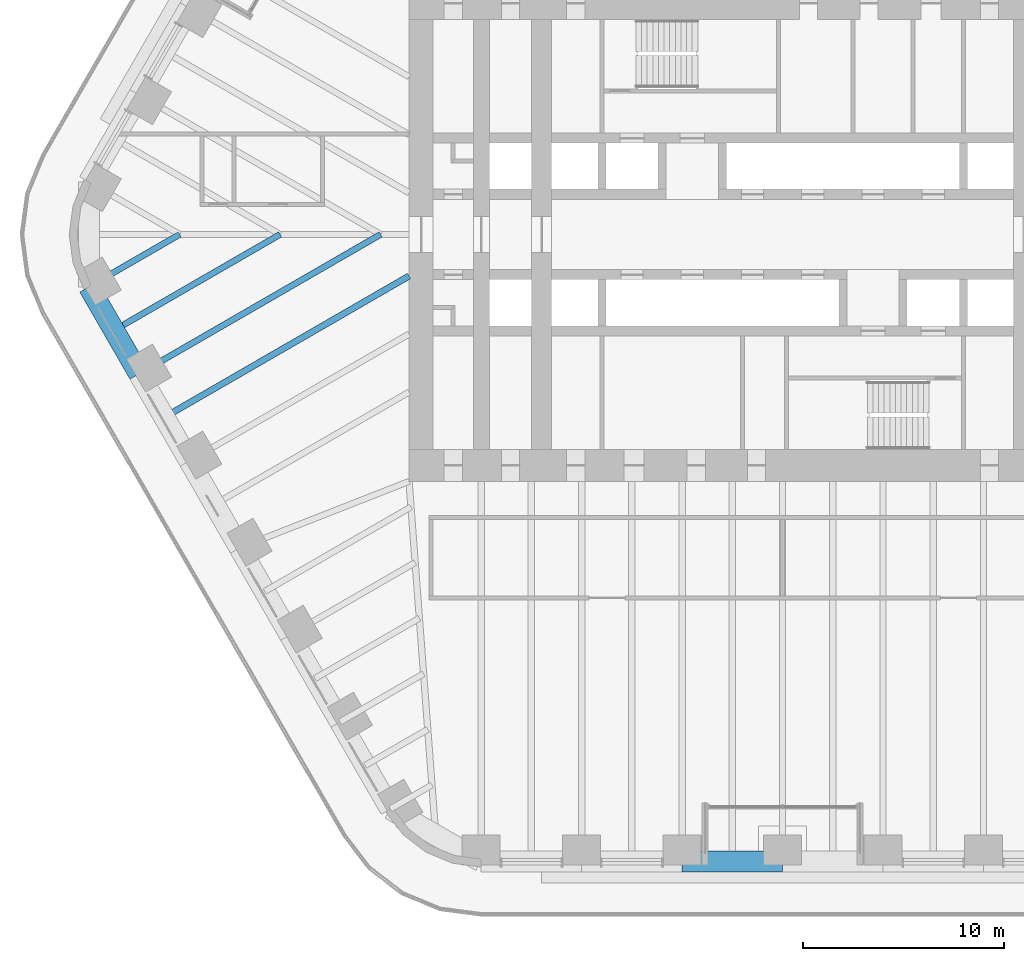
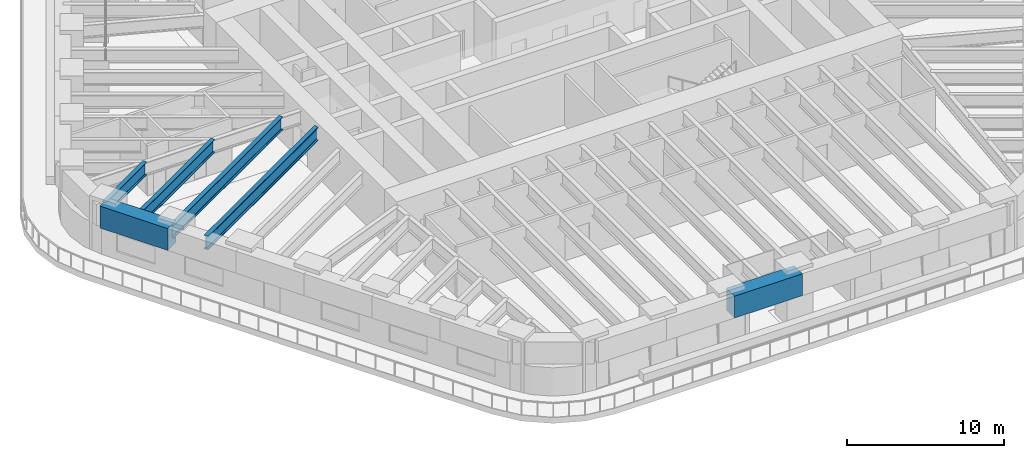
# One storey, part 3 of 19: 6 beams.
"""IFC4 building model written with IfcOpenShell, lengths in metres."""

from ifc_helpers import new_model, si_unit, direction, frame, origin, origin_2d, place, context, subcontext, project, spatial, rectangle, i_section, extrude, material, material_profile, profile_set, type_object, element, save


model = new_model("IFC4")

# Units and contexts
model_context = context("Model", 3, precision=1e-05, world=origin(), true_north=direction((0.0, 1.0)))
body_context = subcontext(model_context, "Body", "Model", "MODEL_VIEW")
ifc_project = project(units=[si_unit("LENGTHUNIT", "METRE"), si_unit("AREAUNIT", "SQUARE_METRE"), si_unit("VOLUMEUNIT", "CUBIC_METRE"), si_unit("PLANEANGLEUNIT", "RADIAN"), si_unit("MASSUNIT", "GRAM", prefix="KILO")], contexts=[model_context])

# Site, building, storey
site_placement = place(None, origin())
site = spatial("IfcSite", under=ifc_project, at=site_placement, CompositionType="ELEMENT")
building_placement = place(site_placement, origin())
building = spatial("IfcBuilding", under=site, at=building_placement, Name="Tarfa Lantern Tower", CompositionType="ELEMENT")
storey_placement = place(building_placement, frame((0.0, 0.0, 199.300048828125)))
storey = spatial("IfcBuildingStorey", under=building, at=storey_placement, Name="L45", CompositionType="ELEMENT", Elevation=199.300048828125)

# Beams
ifc_material_1 = material(Name="Concrete C80/95", Category="concrete")
ifc_material_profile_1 = material_profile(ifc_material_1, rectangle(XDim=1.050048828125, YDim=1.699951171875, at=origin_2d()), Name="RC 1050x1700")
ifc_profile_set_1 = profile_set([ifc_material_profile_1], Name="Concrete C80/95")
beam_type_1 = type_object("IfcBeamType", Name="RB2 RC 1050x1700", PredefinedType="BEAM", material=ifc_profile_set_1)
for number, where, z_axis, x_axis, name in (
    (1, (-34.54296875, -2.610107421875, 3.050048828125), (0.500022324899, -0.866012514114, 0.0), (0.866012514114, 0.500022324899, 0.0), "Edge beam SW0"),
    (2, (-5.003662109375, -31.219970703125, 3.050048828125), (1.0, 0.0, 0.0), (0.0, 1.0, 0.0), "Edge beam S2"),
):
    element("IfcBeam", number, at=place(storey_placement, frame(where, z_axis=z_axis, x_axis=x_axis)), inside=storey, type_object=beam_type_1, Name=name, PredefinedType="BEAM", context=body_context, shape_type="SweptSolid", body=[
        extrude(rectangle(XDim=1.050048828125, YDim=1.699951171875, at=origin_2d()), origin(), (0.0, 0.0, 1.0), 5.003662109375),
    ])
ifc_material_2 = material(Name="Steel S460M", Category="steel")
ifc_material_profile_2 = material_profile(ifc_material_2, i_section(OverallWidth=0.302001953125, OverallDepth=1.008056640625, WebThickness=0.02099609375, FlangeThickness=0.0400390625, FilletRadius=0.030029296875, at=origin_2d()), Name="UB1016x305x349")
ifc_profile_set_2 = profile_set([ifc_material_profile_2], Name="Steel S460M")
beam_type_2 = type_object("IfcBeamType", Name="UB1016x305x349", PredefinedType="BEAM", material=ifc_profile_set_2)
beam_1_placement = place(storey_placement, frame((-34.54296875, -2.610107421875, 3.39599609375), z_axis=(0.866021250859, 0.500007193008, 0.0), x_axis=(-0.500007193008, 0.866021250859, 0.0)))
element("IfcBeam", 3, at=beam_1_placement, inside=storey, type_object=beam_type_2, Name="Floor beam SW0", PredefinedType="BEAM", context=body_context, shape_type="SweptSolid", body=[
    extrude(i_section(OverallWidth=0.302001953125, OverallDepth=1.008056640625, WebThickness=0.02099609375, FlangeThickness=0.0400390625, FilletRadius=0.030029296875, at=origin_2d()), origin(), (0.0, 0.0, 1.0), 5.22021484375),
])
beam_2_placement = place(storey_placement, frame((-32.041015625, -6.943359375, 3.39599609375), z_axis=(0.866023096411, 0.500003996466, 0.0), x_axis=(-0.500003996466, 0.866023096411, 0.0)))
element("IfcBeam", 4, at=beam_2_placement, inside=storey, type_object=beam_type_2, Name="Floor beam SW1", PredefinedType="BEAM", context=body_context, shape_type="SweptSolid", body=[
    extrude(i_section(OverallWidth=0.302001953125, OverallDepth=1.008056640625, WebThickness=0.02099609375, FlangeThickness=0.0400390625, FilletRadius=0.030029296875, at=origin_2d()), origin(), (0.0, 0.0, 1.0), 13.88671875),
])
beam_3_placement = place(storey_placement, frame((-33.2919921875, -4.776611328125, 3.39599609375), z_axis=(0.866028125123, 0.499995286474, 0.0), x_axis=(-0.499995286474, 0.866028125123, 0.0)))
element("IfcBeam", 5, at=beam_3_placement, inside=storey, type_object=beam_type_2, Name="Floor beam SW0M", PredefinedType="BEAM", context=body_context, shape_type="SweptSolid", body=[
    extrude(i_section(OverallWidth=0.302001953125, OverallDepth=1.008056640625, WebThickness=0.02099609375, FlangeThickness=0.0400390625, FilletRadius=0.030029296875, at=origin_2d()), origin(), (0.0, 0.0, 1.0), 9.55322265625),
])
ifc_material_profile_3 = material_profile(ifc_material_2, i_section(OverallWidth=0.314208984375, OverallDepth=1.055908203125, WebThickness=0.035888671875, FlangeThickness=0.06396484375, FilletRadius=0.030029296875, at=origin_2d()), Name="UB1016x305x584")
ifc_profile_set_3 = profile_set([ifc_material_profile_3], Name="Steel S460M")
beam_type_3 = type_object("IfcBeamType", Name="UB1016x305x584", PredefinedType="BEAM", material=ifc_profile_set_3)
beam_4_placement = place(storey_placement, frame((-30.7900390625, -9.110107421875, 3.3720703125), z_axis=(0.866018636338, 0.500011721377, 0.0), x_axis=(-0.500011721377, 0.866018636338, 0.0)))
element("IfcBeam", 6, at=beam_4_placement, inside=storey, type_object=beam_type_3, Name="Floor beam SW1M", PredefinedType="BEAM", context=body_context, shape_type="SweptSolid", body=[
    extrude(i_section(OverallWidth=0.314208984375, OverallDepth=1.055908203125, WebThickness=0.035888671875, FlangeThickness=0.06396484375, FilletRadius=0.030029296875, at=origin_2d()), origin(), (0.0, 0.0, 1.0), 14.075927734375),
])

save(model, "model.ifc")
